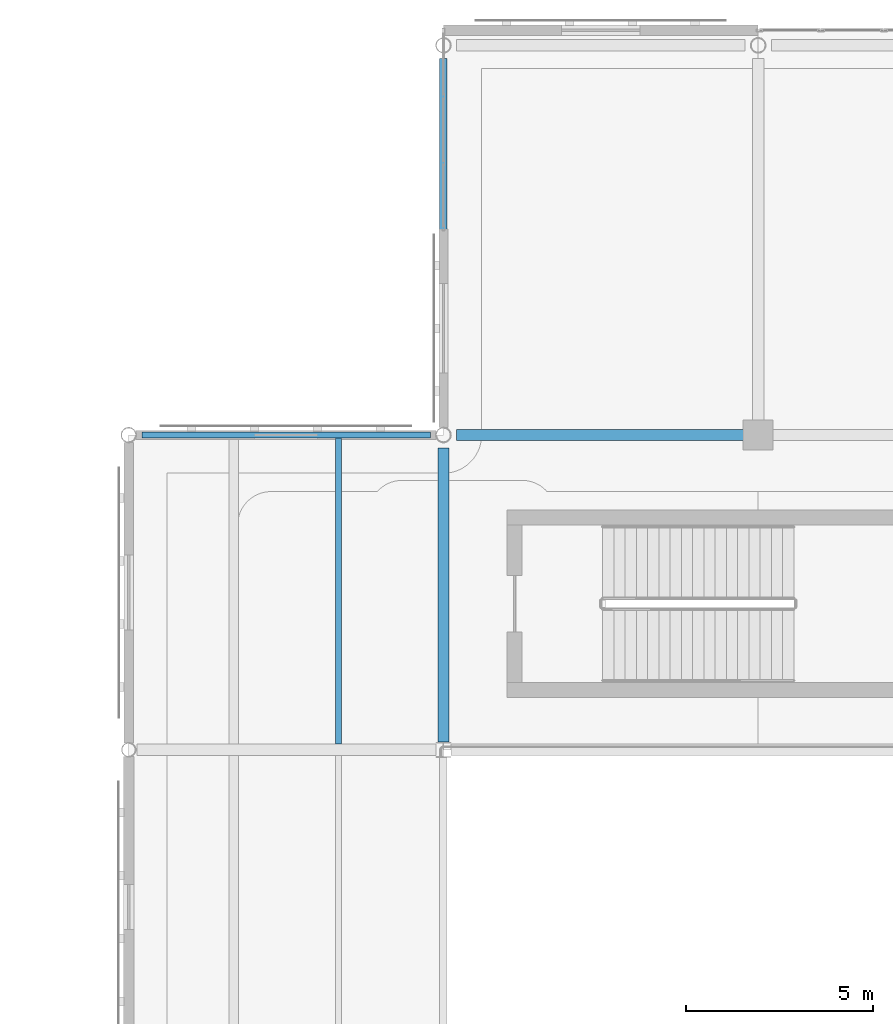
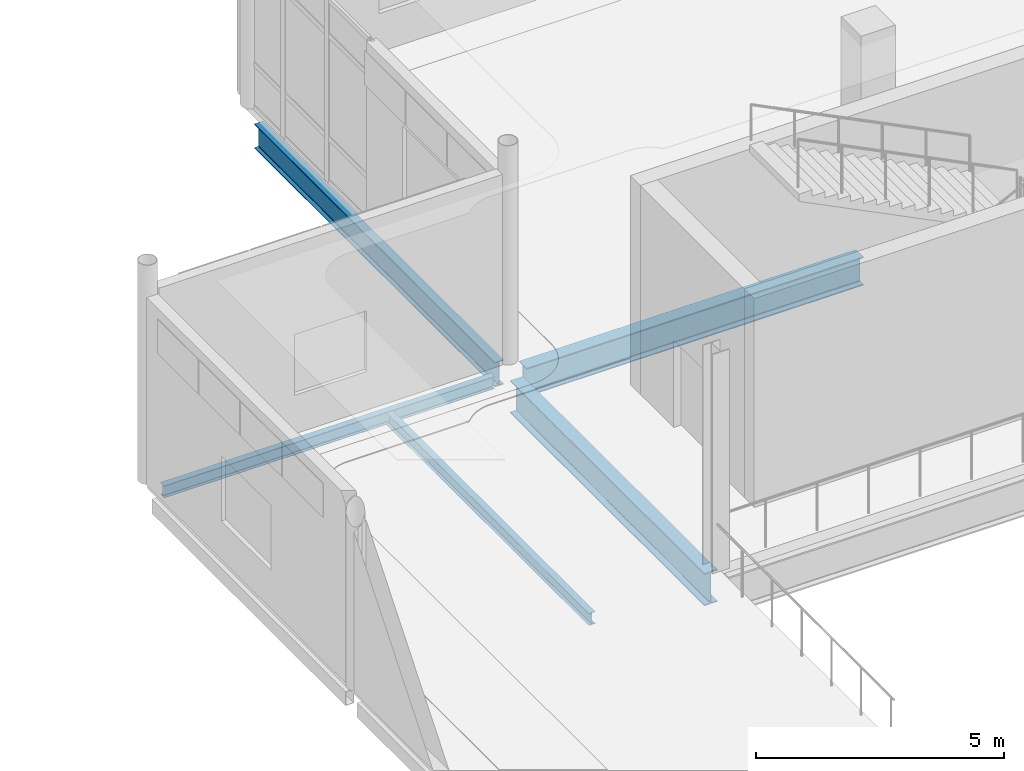
# One storey, part 29 of 110: 5 beams.
"""IFC4 building model written with IfcOpenShell, lengths in metres."""

from ifc_helpers import new_model, si_unit, direction, frame, origin, origin_2d, place, context, subcontext, project, spatial, i_section, extrude, material, material_profile, profile_set, type_object, element, save


model = new_model("IFC4")

# Units and contexts
model_context = context("Model", 3, precision=1e-05, world=origin(), true_north=direction((0.0, 1.0)))
body_context = subcontext(model_context, "Body", "Model", "MODEL_VIEW")
ifc_project = project(units=[si_unit("LENGTHUNIT", "METRE"), si_unit("AREAUNIT", "SQUARE_METRE"), si_unit("VOLUMEUNIT", "CUBIC_METRE"), si_unit("PLANEANGLEUNIT", "RADIAN"), si_unit("MASSUNIT", "GRAM", prefix="KILO"), si_unit("THERMODYNAMICTEMPERATUREUNIT", "KELVIN")], contexts=[model_context])

# Site, building, storey
site_placement = place(None, origin())
site = spatial("IfcSite", under=ifc_project, at=site_placement, CompositionType="ELEMENT")
building_placement = place(site_placement, origin())
building = spatial("IfcBuilding", under=site, at=building_placement, Name="Lustrewick Department Store", CompositionType="ELEMENT")
storey_placement = place(building_placement, frame((0.0, 0.0, 6.0)))
storey = spatial("IfcBuildingStorey", under=building, at=storey_placement, Name="L02", CompositionType="ELEMENT", Elevation=6.0)

# Beams
ifc_material = material(Name="Structural steel Q355B", Category="steel")
ifc_material_profile_1 = material_profile(ifc_material, i_section(OverallWidth=0.14892578125, OverallDepth=0.298095703125, WebThickness=0.005615234375, FlangeThickness=0.008056640625, FilletRadius=0.011962890625, at=origin_2d()), Name="HN 298x149x5.5x8")
ifc_profile_set_1 = profile_set([ifc_material_profile_1], Name="Structural steel Q355B")
beam_type_1 = type_object("IfcBeamType", Name="B12", PredefinedType="JOIST", material=ifc_profile_set_1)
beam_1_placement = place(storey_placement, frame((72.800048828125, 92.550048828125, -0.404052734375), z_axis=(0.0, 1.0, 0.0), x_axis=(-1.0, 0.0, 0.0)))
element("IfcBeam", 1, at=beam_1_placement, inside=storey, type_object=beam_type_1, Name="L02 V2 Secondary Joist B12", PredefinedType="JOIST", context=body_context, shape_type="SweptSolid", body=[
    extrude(i_section(OverallWidth=0.14892578125, OverallDepth=0.298095703125, WebThickness=0.005615234375, FlangeThickness=0.008056640625, FilletRadius=0.011962890625, at=origin_2d()), origin(), (0.0, 0.0, 1.0), 8.175048828125),
])
ifc_material_profile_2 = material_profile(ifc_material, i_section(OverallWidth=0.300048828125, OverallDepth=0.800048828125, WebThickness=0.013916015625, FlangeThickness=0.02587890625, FilletRadius=0.02197265625, at=origin_2d()), Name="HN 800x300x14x26")
ifc_profile_set_2 = profile_set([ifc_material_profile_2], Name="Structural steel Q355B")
beam_type_2 = type_object("IfcBeamType", Name="G05", PredefinedType="BEAM", material=ifc_profile_set_2)
beam_2_placement = place(storey_placement, frame((75.60009765625, 92.60693359375, -0.655029296875), z_axis=(0.0, 1.0, 0.0), x_axis=(-1.0, 0.0, 0.0)))
element("IfcBeam", 2, at=beam_2_placement, inside=storey, type_object=beam_type_2, Name="L02 V2 Girder G05", PredefinedType="BEAM", context=body_context, shape_type="SweptSolid", body=[
    extrude(i_section(OverallWidth=0.300048828125, OverallDepth=0.800048828125, WebThickness=0.013916015625, FlangeThickness=0.02587890625, FilletRadius=0.02197265625, at=origin_2d()), origin(), (0.0, 0.0, 1.0), 7.843017578125),
])
ifc_material_profile_3 = material_profile(ifc_material, i_section(OverallWidth=0.300048828125, OverallDepth=0.699951171875, WebThickness=0.012939453125, FlangeThickness=0.02392578125, FilletRadius=0.02001953125, at=origin_2d()), Name="HN 700x300x13x24")
ifc_profile_set_3 = profile_set([ifc_material_profile_3], Name="Structural steel Q355B")
beam_type_3 = type_object("IfcBeamType", Name="G08", PredefinedType="BEAM", material=ifc_profile_set_3)
beam_3_placement = place(storey_placement, frame((75.949951171875, 100.800048828125, -0.60498046875), z_axis=(1.0, 0.0, 0.0), x_axis=(0.0, 1.0, 0.0)))
element("IfcBeam", 3, at=beam_3_placement, inside=storey, type_object=beam_type_3, Name="L02 V2 Girder G08", PredefinedType="BEAM", context=body_context, shape_type="SweptSolid", body=[
    extrude(i_section(OverallWidth=0.300048828125, OverallDepth=0.699951171875, WebThickness=0.012939453125, FlangeThickness=0.02392578125, FilletRadius=0.02001953125, at=origin_2d()), origin(), (0.0, 0.0, 1.0), 7.85009765625),
])
ifc_material_profile_4 = material_profile(ifc_material, i_section(OverallWidth=0.200927734375, OverallDepth=0.60595703125, WebThickness=0.011962890625, FlangeThickness=0.02001953125, FilletRadius=0.01806640625, at=origin_2d()), Name="HN 606x201x12x20")
ifc_profile_set_4 = profile_set([ifc_material_profile_4], Name="Structural steel Q355B")
beam_type_4 = type_object("IfcBeamType", Name="G13", PredefinedType="BEAM", material=ifc_profile_set_4)
beam_4_placement = place(storey_placement, frame((75.60009765625, 101.14990234375, -0.55810546875), z_axis=(0.0, 1.0, 0.0), x_axis=(-1.0, 0.0, 0.0)))
element("IfcBeam", 4, at=beam_4_placement, inside=storey, type_object=beam_type_4, Name="L02 V2 Girder G13", PredefinedType="BEAM", context=body_context, shape_type="SweptSolid", body=[
    extrude(i_section(OverallWidth=0.200927734375, OverallDepth=0.60595703125, WebThickness=0.011962890625, FlangeThickness=0.02001953125, FilletRadius=0.01806640625, at=origin_2d()), origin(), (0.0, 0.0, 1.0), 9.7001953125),
])
ifc_material_profile_5 = material_profile(ifc_material, i_section(OverallWidth=0.14990234375, OverallDepth=0.300048828125, WebThickness=0.006591796875, FlangeThickness=0.009033203125, FilletRadius=0.011962890625, at=origin_2d()), Name="HN 300x150x6.5x9")
ifc_profile_set_5 = profile_set([ifc_material_profile_5], Name="Structural steel Q355B")
beam_type_5 = type_object("IfcBeamType", Name="LN01", PredefinedType="LINTEL", material=ifc_profile_set_5)
beam_5_placement = place(storey_placement, frame((67.550048828125, 100.800048828125, -0.405029296875), z_axis=(1.0, 0.0, 0.0), x_axis=(0.0, 1.0, 0.0)))
element("IfcBeam", 5, at=beam_5_placement, inside=storey, type_object=beam_type_5, Name="L02 V2 Girder LN01", PredefinedType="LINTEL", context=body_context, shape_type="SweptSolid", body=[
    extrude(i_section(OverallWidth=0.14990234375, OverallDepth=0.300048828125, WebThickness=0.006591796875, FlangeThickness=0.009033203125, FilletRadius=0.011962890625, at=origin_2d()), origin(), (0.0, 0.0, 1.0), 7.699951171875),
])

save(model, "model.ifc")
